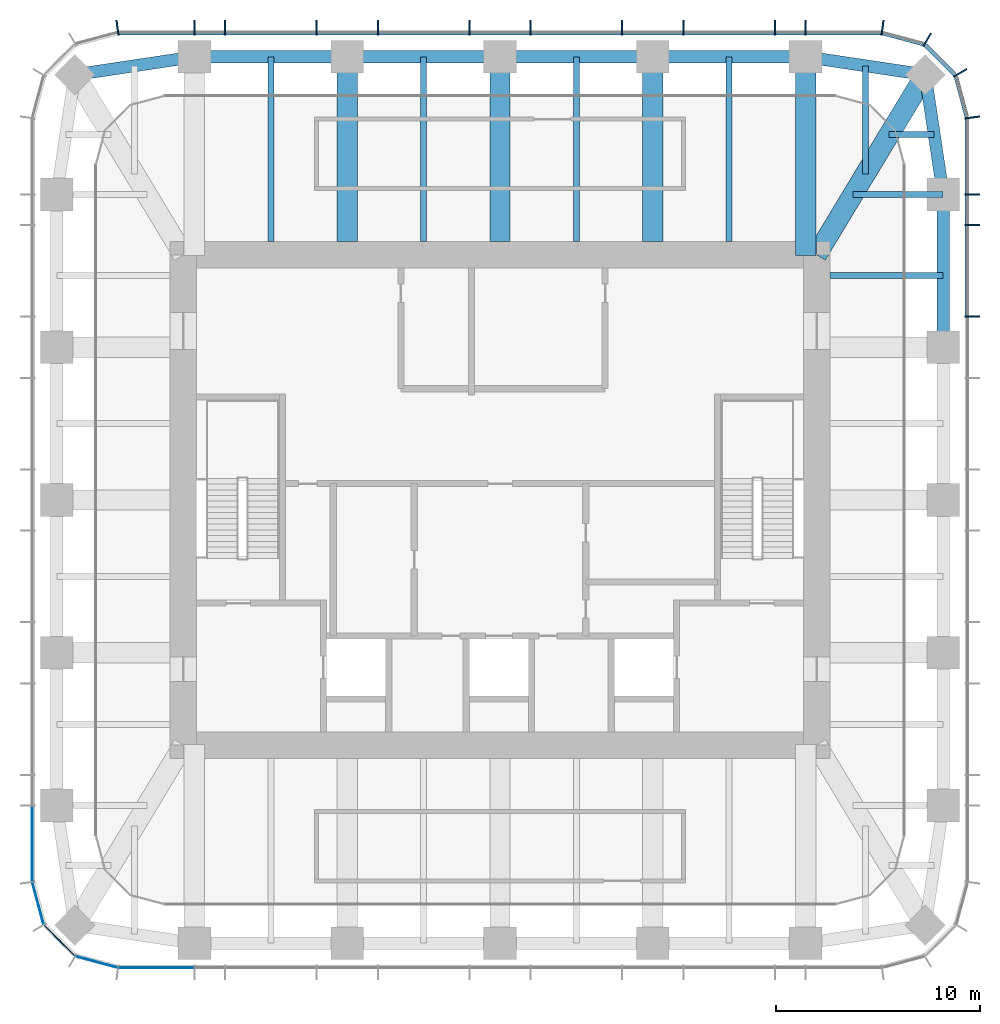
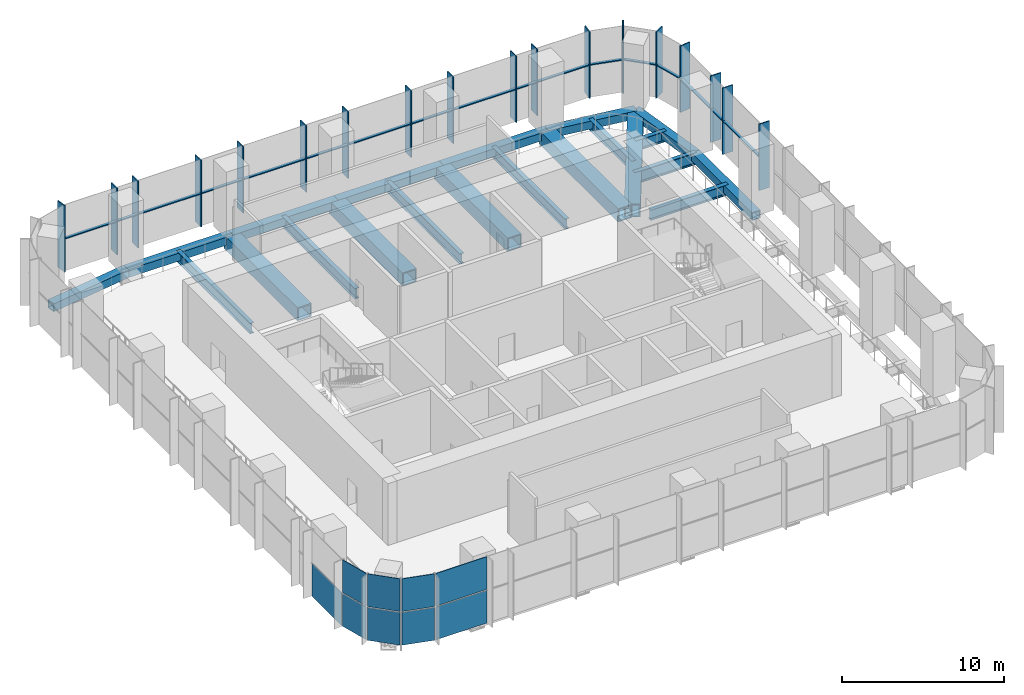
# One storey, part 3 of 10: 48 members, 9 plates, 8 beams, 7 elements without a shape of their own.
"""IFC4 building model written with IfcOpenShell, lengths in metres."""

from ifc_helpers import new_model, si_unit, direction, frame, origin, origin_2d, place, context, subcontext, project, spatial, rectangle, hollow_rectangle, i_section, extrude, material, layer, layer_set, material_profile, profile_set, type_object, element, aggregate, save


model = new_model("IFC4")

# Units and contexts
model_context = context("Model", 3, precision=1e-05, world=origin(), true_north=direction((0.0, 1.0)))
body_context = subcontext(model_context, "Body", "Model", "MODEL_VIEW")
ifc_project = project(units=[si_unit("LENGTHUNIT", "METRE"), si_unit("AREAUNIT", "SQUARE_METRE"), si_unit("VOLUMEUNIT", "CUBIC_METRE"), si_unit("PLANEANGLEUNIT", "RADIAN"), si_unit("MASSUNIT", "GRAM", prefix="KILO")], contexts=[model_context])

# Site, building, storey
site_placement = place(None, origin())
site = spatial("IfcSite", under=ifc_project, at=site_placement, CompositionType="ELEMENT")
building_placement = place(site_placement, origin())
building = spatial("IfcBuilding", under=site, at=building_placement, Name="Khuree Lantern Residences", CompositionType="ELEMENT")
storey_placement = place(building_placement, frame((0.0, 0.0, 358.25)))
storey = spatial("IfcBuildingStorey", under=building, at=storey_placement, Name="L90", CompositionType="ELEMENT", Elevation=358.25)

# Beams
ifc_material_1 = material(Name="Steel S355", Category="steel")
ifc_material_profile_1 = material_profile(ifc_material_1, i_section(OverallWidth=0.300048828125, OverallDepth=0.7900390625, WebThickness=0.014892578125, FlangeThickness=0.028076171875, FilletRadius=0.030029296875, at=origin_2d()), Name="HE 800 A")
ifc_profile_set_1 = profile_set([ifc_material_profile_1], Name="Steel S355")
beam_type_1 = type_object("IfcBeamType", Name="B-90 SECONDARY BEAM HE 800 A", PredefinedType="BEAM", material=ifc_profile_set_1)
for number, where, z_axis, x_axis, name in (
    (1, (-11.219970703125, 21.699951171875, -0.695068359375), (0.0, -1.0, 0.0), (1.0, 0.0, 0.0), "Secondary beam N1"),
    (2, (-3.739990234375, 21.699951171875, -0.695068359375), (0.0, -1.0, 0.0), (1.0, 0.0, 0.0), "Secondary beam N2"),
    (3, (3.739990234375, 21.699951171875, -0.695068359375), (0.0, -1.0, 0.0), (1.0, 0.0, 0.0), "Secondary beam N3"),
    (4, (11.219970703125, 21.699951171875, -0.695068359375), (0.0, -1.0, 0.0), (1.0, 0.0, 0.0), "Secondary beam N4"),
):
    element("IfcBeam", number, at=place(storey_placement, frame(where, z_axis=z_axis, x_axis=x_axis)), inside=storey, type_object=beam_type_1, Name=name, PredefinedType="BEAM", context=body_context, shape_type="SweptSolid", body=[
        extrude(i_section(OverallWidth=0.300048828125, OverallDepth=0.7900390625, WebThickness=0.014892578125, FlangeThickness=0.028076171875, FilletRadius=0.030029296875, at=origin_2d()), origin(), (0.0, 0.0, 1.0), 9.050048828125),
    ])
beam_1_placement = place(storey_placement, frame((17.890625, 21.2607421875, -0.695068359375), z_axis=(0.0, -1.0, 0.0), x_axis=(1.0, 0.0, 0.0)))
element("IfcBeam", 5, at=beam_1_placement, inside=storey, type_object=beam_type_1, Name="Secondary beam N5", PredefinedType="BEAM", context=body_context, shape_type="SweptSolid", body=[
    extrude(i_section(OverallWidth=0.300048828125, OverallDepth=0.7900390625, WebThickness=0.014892578125, FlangeThickness=0.028076171875, FilletRadius=0.030029296875, at=origin_2d()), origin(), (0.0, 0.0, 1.0), 5.297607421875),
])
beam_2_placement = place(storey_placement, frame((21.2607421875, 17.890625, -0.695068359375), z_axis=(-1.0, 0.0, 0.0), x_axis=(0.0, -1.0, 0.0)))
element("IfcBeam", 6, at=beam_2_placement, inside=storey, type_object=beam_type_1, Name="Secondary beam E1", PredefinedType="BEAM", context=body_context, shape_type="SweptSolid", body=[
    extrude(i_section(OverallWidth=0.300048828125, OverallDepth=0.7900390625, WebThickness=0.014892578125, FlangeThickness=0.028076171875, FilletRadius=0.030029296875, at=origin_2d()), origin(), (0.0, 0.0, 1.0), 2.207275390625),
])
beam_3_placement = place(storey_placement, frame((21.699951171875, 11.0, -0.695068359375), z_axis=(-1.0, 0.0, 0.0), x_axis=(0.0, -1.0, 0.0)))
element("IfcBeam", 7, at=beam_3_placement, inside=storey, type_object=beam_type_1, Name="Secondary beam E2", PredefinedType="BEAM", context=body_context, shape_type="SweptSolid", body=[
    extrude(i_section(OverallWidth=0.300048828125, OverallDepth=0.7900390625, WebThickness=0.014892578125, FlangeThickness=0.028076171875, FilletRadius=0.030029296875, at=origin_2d()), origin(), (0.0, 0.0, 1.0), 5.550048828125),
])

# Members
ifc_material_profile_2 = material_profile(ifc_material_1, hollow_rectangle(XDim=0.60009765625, YDim=0.60009765625, WallThickness=0.050048828125, at=origin_2d()), Name="WELDED BOX 600X600X50")
ifc_profile_set_2 = profile_set([ifc_material_profile_2], Name="Steel S355")
member_type_1 = type_object("IfcMemberType", Name="BT-90 BELT TRUSS CHORD WELDED BOX 600X600X50", PredefinedType="CHORD", material=ifc_profile_set_2)
for number, where, z_axis, x_axis, name in (
    (8, (-14.9599609375, 21.699951171875, -0.60009765625), (1.0, 0.0, 0.0), (0.0, 1.0, 0.0), "Belt truss chord N1"),
    (9, (-7.47998046875, 21.699951171875, -0.60009765625), (1.0, 0.0, 0.0), (0.0, 1.0, 0.0), "Belt truss chord N2"),
    (10, (0.0, 21.699951171875, -0.60009765625), (1.0, 0.0, 0.0), (0.0, 1.0, 0.0), "Belt truss chord N3"),
    (11, (7.47998046875, 21.699951171875, -0.60009765625), (1.0, 0.0, 0.0), (0.0, 1.0, 0.0), "Belt truss chord N4"),
):
    element("IfcMember", number, at=place(storey_placement, frame(where, z_axis=z_axis, x_axis=x_axis)), inside=storey, type_object=member_type_1, Name=name, PredefinedType="CHORD", context=body_context, shape_type="SweptSolid", body=[
        extrude(hollow_rectangle(XDim=0.60009765625, YDim=0.60009765625, WallThickness=0.050048828125, at=origin_2d()), origin(), (0.0, 0.0, 1.0), 7.47998046875),
    ])
for number, where, z_axis, x_axis, name in (
    (12, (14.9599609375, 21.699951171875, -0.60009765625), (0.988949643299, -0.148251822985, 0.0), (0.148251822985, 0.988949643299, 0.0), "Belt truss chord N5"),
    (13, (20.8212890625, 20.8212890625, -0.60009765625), (0.148251822985, -0.988949643299, 0.0), (0.988949643299, 0.148251822985, 0.0), "Belt truss chord E1"),
):
    element("IfcMember", number, at=place(storey_placement, frame(where, z_axis=z_axis, x_axis=x_axis)), inside=storey, type_object=member_type_1, Name=name, PredefinedType="CHORD", context=body_context, shape_type="SweptSolid", body=[
        extrude(hollow_rectangle(XDim=0.60009765625, YDim=0.60009765625, WallThickness=0.050048828125, at=origin_2d()), origin(), (0.0, 0.0, 1.0), 5.9267578125),
    ])
member_1_placement = place(storey_placement, frame((21.699951171875, 14.9599609375, -0.60009765625), z_axis=(0.0, -1.0, 0.0), x_axis=(1.0, 0.0, 0.0)))
element("IfcMember", 14, at=member_1_placement, inside=storey, type_object=member_type_1, Name="Belt truss chord E2", PredefinedType="CHORD", context=body_context, shape_type="SweptSolid", body=[
    extrude(hollow_rectangle(XDim=0.60009765625, YDim=0.60009765625, WallThickness=0.050048828125, at=origin_2d()), origin(), (0.0, 0.0, 1.0), 7.47998046875),
])
member_2_placement = place(storey_placement, frame((-20.8212890625, 20.8212890625, -0.60009765625), z_axis=(0.988949643299, 0.148251822985, 0.0), x_axis=(-0.148251822985, 0.988949643299, 0.0)))
element("IfcMember", 15, at=member_2_placement, inside=storey, type_object=member_type_1, Name="Belt truss chord N6", PredefinedType="CHORD", context=body_context, shape_type="SweptSolid", body=[
    extrude(hollow_rectangle(XDim=0.60009765625, YDim=0.60009765625, WallThickness=0.050048828125, at=origin_2d()), origin(), (0.0, 0.0, 1.0), 5.9267578125),
])

# Curtain wall, members
ifc_material_2 = material(Name="Bronze anodised aluminium", Category="aluminium")
curtain_wall_type = type_object("IfcCurtainWallType", Name="CW-L LANTERN CROWN CURTAIN WALL", PredefinedType="USERDEFINED", material=ifc_material_2)
curtain_wall_1_placement = place(storey_placement, origin())
curtain_wall_1 = element("IfcCurtainWall", 16, at=curtain_wall_1_placement, inside=storey, type_object=curtain_wall_type, Name="L90 EAST FACE CURTAIN WALL", ObjectType="Lantern curtain wall", PredefinedType="USERDEFINED")
ifc_material_profile_3 = material_profile(ifc_material_2, rectangle(XDim=0.074951171875, YDim=0.75, at=origin_2d()), Name="F4 75X750")
ifc_profile_set_3 = profile_set([ifc_material_profile_3], Name="Bronze anodised aluminium")
member_type_2 = type_object("IfcMemberType", Name="F4 BRONZE FIN MULLION LANTERN 75X750", PredefinedType="MULLION", material=ifc_profile_set_3)
member_3_placement = place(storey_placement, frame((23.125, 8.97607421875, 0.0), z_axis=(0.0, 0.0, 1.0), x_axis=(0.0, 1.0, 0.0)))
member_3 = element("IfcMember", 17, at=member_3_placement, type_object=member_type_2, Name="L90 EAST FACE FIN MULLION 12", PredefinedType="MULLION", context=body_context, shape_type="SweptSolid", body=[
    extrude(rectangle(XDim=0.074951171875, YDim=0.75, at=origin_2d()), origin(), (0.0, 0.0, 1.0), 5.0),
])
member_4_placement = place(storey_placement, frame((23.125, 13.464111328125, 0.0), z_axis=(0.0, 0.0, 1.0), x_axis=(0.0, 1.0, 0.0)))
member_4 = element("IfcMember", 18, at=member_4_placement, type_object=member_type_2, Name="L90 EAST FACE FIN MULLION 13", PredefinedType="MULLION", context=body_context, shape_type="SweptSolid", body=[
    extrude(rectangle(XDim=0.074951171875, YDim=0.75, at=origin_2d()), origin(), (0.0, 0.0, 1.0), 5.0),
])
member_5_placement = place(storey_placement, frame((23.125, 14.9599609375, 0.0), z_axis=(0.0, 0.0, 1.0), x_axis=(0.0, 1.0, 0.0)))
member_5 = element("IfcMember", 19, at=member_5_placement, type_object=member_type_2, Name="L90 EAST FACE FIN MULLION 14", PredefinedType="MULLION", context=body_context, shape_type="SweptSolid", body=[
    extrude(rectangle(XDim=0.074951171875, YDim=0.75, at=origin_2d()), origin(), (0.0, 0.0, 1.0), 5.0),
])

curtain_wall_2_placement = place(storey_placement, origin())
curtain_wall_2 = element("IfcCurtainWall", 20, at=curtain_wall_2_placement, inside=storey, type_object=curtain_wall_type, Name="L90 NORTH-EAST CORNER CURTAIN WALL", ObjectType="Lantern curtain wall", PredefinedType="USERDEFINED")
member_6_placement = place(storey_placement, frame((23.12451171875, 18.7294921875, 0.0), z_axis=(0.0, 0.0, 1.0), x_axis=(-0.130526125236, 0.991444870192, 0.0)))
member_6 = element("IfcMember", 21, at=member_6_placement, type_object=member_type_2, Name="L90 NORTH-EAST CORNER FIN MULLION 15", PredefinedType="MULLION", context=body_context, shape_type="SweptSolid", body=[
    extrude(rectangle(XDim=0.074951171875, YDim=0.75, at=origin_2d()), origin(), (0.0, 0.0, 1.0), 5.0),
])
member_7_placement = place(storey_placement, frame((22.5322265625, 20.91259765625, 0.0), z_axis=(0.0, 0.0, 1.0), x_axis=(-0.49999994149, 0.866025437565, 0.0)))
member_7 = element("IfcMember", 22, at=member_7_placement, type_object=member_type_2, Name="L90 NORTH-EAST CORNER FIN MULLION 16", PredefinedType="MULLION", context=body_context, shape_type="SweptSolid", body=[
    extrude(rectangle(XDim=0.074951171875, YDim=0.75, at=origin_2d()), origin(), (0.0, 0.0, 1.0), 5.0),
])
member_8_placement = place(storey_placement, frame((20.91259765625, 22.5322265625, 0.0), z_axis=(0.0, 0.0, 1.0), x_axis=(-0.866025437565, 0.49999994149, 0.0)))
member_8 = element("IfcMember", 23, at=member_8_placement, type_object=member_type_2, Name="L90 NORTH-EAST CORNER FIN MULLION 17", PredefinedType="MULLION", context=body_context, shape_type="SweptSolid", body=[
    extrude(rectangle(XDim=0.074951171875, YDim=0.75, at=origin_2d()), origin(), (0.0, 0.0, 1.0), 5.0),
])

curtain_wall_3_placement = place(storey_placement, origin())
curtain_wall_3 = element("IfcCurtainWall", 24, at=curtain_wall_3_placement, inside=storey, type_object=curtain_wall_type, Name="L90 NORTH FACE CURTAIN WALL", ObjectType="Lantern curtain wall", PredefinedType="USERDEFINED")
member_9_placement = place(storey_placement, frame((18.7294921875, 23.12451171875, 0.0), z_axis=(0.0, 0.0, 1.0), x_axis=(-0.991444870192, 0.130526125236, 0.0)))
member_9 = element("IfcMember", 25, at=member_9_placement, type_object=member_type_2, Name="L90 NORTH FACE FIN MULLION 18", PredefinedType="MULLION", context=body_context, shape_type="SweptSolid", body=[
    extrude(rectangle(XDim=0.074951171875, YDim=0.75, at=origin_2d()), origin(), (0.0, 0.0, 1.0), 5.0),
])
member_10_placement = place(storey_placement, frame((14.9599609375, 23.125, 0.0), z_axis=(0.0, 0.0, 1.0), x_axis=(-1.0, 0.0, 0.0)))
member_10 = element("IfcMember", 26, at=member_10_placement, type_object=member_type_2, Name="L90 NORTH FACE FIN MULLION 19", PredefinedType="MULLION", context=body_context, shape_type="SweptSolid", body=[
    extrude(rectangle(XDim=0.074951171875, YDim=0.75, at=origin_2d()), origin(), (0.0, 0.0, 1.0), 5.0),
])
member_11_placement = place(storey_placement, frame((13.464111328125, 23.125, 0.0), z_axis=(0.0, 0.0, 1.0), x_axis=(-1.0, 0.0, 0.0)))
member_11 = element("IfcMember", 27, at=member_11_placement, type_object=member_type_2, Name="L90 NORTH FACE FIN MULLION 20", PredefinedType="MULLION", context=body_context, shape_type="SweptSolid", body=[
    extrude(rectangle(XDim=0.074951171875, YDim=0.75, at=origin_2d()), origin(), (0.0, 0.0, 1.0), 5.0),
])
member_12_placement = place(storey_placement, frame((8.97607421875, 23.125, 0.0), z_axis=(0.0, 0.0, 1.0), x_axis=(-1.0, 0.0, 0.0)))
member_12 = element("IfcMember", 28, at=member_12_placement, type_object=member_type_2, Name="L90 NORTH FACE FIN MULLION 21", PredefinedType="MULLION", context=body_context, shape_type="SweptSolid", body=[
    extrude(rectangle(XDim=0.074951171875, YDim=0.75, at=origin_2d()), origin(), (0.0, 0.0, 1.0), 5.0),
])
member_13_placement = place(storey_placement, frame((5.98388671875, 23.125, 0.0), z_axis=(0.0, 0.0, 1.0), x_axis=(-1.0, 0.0, 0.0)))
member_13 = element("IfcMember", 29, at=member_13_placement, type_object=member_type_2, Name="L90 NORTH FACE FIN MULLION 22", PredefinedType="MULLION", context=body_context, shape_type="SweptSolid", body=[
    extrude(rectangle(XDim=0.074951171875, YDim=0.75, at=origin_2d()), origin(), (0.0, 0.0, 1.0), 5.0),
])
member_14_placement = place(storey_placement, frame((1.49609375, 23.125, 0.0), z_axis=(0.0, 0.0, 1.0), x_axis=(-1.0, 0.0, 0.0)))
member_14 = element("IfcMember", 30, at=member_14_placement, type_object=member_type_2, Name="L90 NORTH FACE FIN MULLION 23", PredefinedType="MULLION", context=body_context, shape_type="SweptSolid", body=[
    extrude(rectangle(XDim=0.074951171875, YDim=0.75, at=origin_2d()), origin(), (0.0, 0.0, 1.0), 5.0),
])
member_15_placement = place(storey_placement, frame((-1.49609375, 23.125, 0.0), z_axis=(0.0, 0.0, 1.0), x_axis=(-1.0, 0.0, 0.0)))
member_15 = element("IfcMember", 31, at=member_15_placement, type_object=member_type_2, Name="L90 NORTH FACE FIN MULLION 24", PredefinedType="MULLION", context=body_context, shape_type="SweptSolid", body=[
    extrude(rectangle(XDim=0.074951171875, YDim=0.75, at=origin_2d()), origin(), (0.0, 0.0, 1.0), 5.0),
])
member_16_placement = place(storey_placement, frame((-5.98388671875, 23.125, 0.0), z_axis=(0.0, 0.0, 1.0), x_axis=(-1.0, 0.0, 0.0)))
member_16 = element("IfcMember", 32, at=member_16_placement, type_object=member_type_2, Name="L90 NORTH FACE FIN MULLION 25", PredefinedType="MULLION", context=body_context, shape_type="SweptSolid", body=[
    extrude(rectangle(XDim=0.074951171875, YDim=0.75, at=origin_2d()), origin(), (0.0, 0.0, 1.0), 5.0),
])
member_17_placement = place(storey_placement, frame((-8.97607421875, 23.125, 0.0), z_axis=(0.0, 0.0, 1.0), x_axis=(-1.0, 0.0, 0.0)))
member_17 = element("IfcMember", 33, at=member_17_placement, type_object=member_type_2, Name="L90 NORTH FACE FIN MULLION 26", PredefinedType="MULLION", context=body_context, shape_type="SweptSolid", body=[
    extrude(rectangle(XDim=0.074951171875, YDim=0.75, at=origin_2d()), origin(), (0.0, 0.0, 1.0), 5.0),
])
member_18_placement = place(storey_placement, frame((-13.464111328125, 23.125, 0.0), z_axis=(0.0, 0.0, 1.0), x_axis=(-1.0, 0.0, 0.0)))
member_18 = element("IfcMember", 34, at=member_18_placement, type_object=member_type_2, Name="L90 NORTH FACE FIN MULLION 27", PredefinedType="MULLION", context=body_context, shape_type="SweptSolid", body=[
    extrude(rectangle(XDim=0.074951171875, YDim=0.75, at=origin_2d()), origin(), (0.0, 0.0, 1.0), 5.0),
])
member_19_placement = place(storey_placement, frame((-14.9599609375, 23.125, 0.0), z_axis=(0.0, 0.0, 1.0), x_axis=(-1.0, 0.0, 0.0)))
member_19 = element("IfcMember", 35, at=member_19_placement, type_object=member_type_2, Name="L90 NORTH FACE FIN MULLION 28", PredefinedType="MULLION", context=body_context, shape_type="SweptSolid", body=[
    extrude(rectangle(XDim=0.074951171875, YDim=0.75, at=origin_2d()), origin(), (0.0, 0.0, 1.0), 5.0),
])

# Curtain wall, member
curtain_wall_4_placement = place(storey_placement, origin())
curtain_wall_4 = element("IfcCurtainWall", 36, at=curtain_wall_4_placement, inside=storey, type_object=curtain_wall_type, Name="L90 NORTH-WEST CORNER CURTAIN WALL", ObjectType="Lantern curtain wall", PredefinedType="USERDEFINED")
member_20_placement = place(storey_placement, frame((-18.7294921875, 23.12451171875, 0.0), z_axis=(0.0, 0.0, 1.0), x_axis=(-0.991444870192, -0.130526125236, 0.0)))
member_20 = element("IfcMember", 37, at=member_20_placement, type_object=member_type_2, Name="L90 NORTH-WEST CORNER FIN MULLION 29", PredefinedType="MULLION", context=body_context, shape_type="SweptSolid", body=[
    extrude(rectangle(XDim=0.074951171875, YDim=0.75, at=origin_2d()), origin(), (0.0, 0.0, 1.0), 5.0),
])
aggregate(curtain_wall_4, [member_20])

# Beam
ifc_material_profile_4 = material_profile(ifc_material_1, i_section(OverallWidth=0.300048828125, OverallDepth=0.89990234375, WebThickness=0.0185546875, FlangeThickness=0.034912109375, FilletRadius=0.030029296875, at=origin_2d()), Name="HE 900 B")
ifc_profile_set_4 = profile_set([ifc_material_profile_4], Name="Steel S355")
beam_type_2 = type_object("IfcBeamType", Name="G-90 GIRDER HE 900 B", PredefinedType="BEAM", material=ifc_profile_set_4)
beam_4_placement = place(storey_placement, frame((21.699951171875, 14.9599609375, -0.75), z_axis=(-1.0, 0.0, 0.0), x_axis=(0.0, -1.0, 0.0)))
element("IfcBeam", 38, at=beam_4_placement, inside=storey, type_object=beam_type_2, Name="Girder E1", PredefinedType="BEAM", context=body_context, shape_type="SweptSolid", body=[
    extrude(i_section(OverallWidth=0.300048828125, OverallDepth=0.89990234375, WebThickness=0.0185546875, FlangeThickness=0.034912109375, FilletRadius=0.030029296875, at=origin_2d()), origin(), (0.0, 0.0, 1.0), 4.414306640625),
])

# Members
ifc_material_profile_5 = material_profile(ifc_material_1, hollow_rectangle(XDim=1.0, YDim=1.0, WallThickness=0.080078125, at=origin_2d()), Name="WELDED BOX 1000X1000X80")
ifc_profile_set_5 = profile_set([ifc_material_profile_5], Name="Steel S355")
member_type_3 = type_object("IfcMemberType", Name="OT-90 OUTRIGGER TRUSS CHORD WELDED BOX 1000X1000X80", PredefinedType="CHORD", material=ifc_profile_set_5)
for number, where, z_axis, x_axis, name in (
    (39, (-7.47998046875, 21.699951171875, -0.800048828125), (0.0, -1.0, 0.0), (1.0, 0.0, 0.0), "Outrigger chord N2"),
    (40, (0.0, 21.699951171875, -0.800048828125), (0.0, -1.0, 0.0), (1.0, 0.0, 0.0), "Outrigger chord N3"),
    (41, (7.47998046875, 21.699951171875, -0.800048828125), (0.0, -1.0, 0.0), (1.0, 0.0, 0.0), "Outrigger chord N4"),
):
    element("IfcMember", number, at=place(storey_placement, frame(where, z_axis=z_axis, x_axis=x_axis)), inside=storey, type_object=member_type_3, Name=name, PredefinedType="CHORD", context=body_context, shape_type="SweptSolid", body=[
        extrude(hollow_rectangle(XDim=1.0, YDim=1.0, WallThickness=0.080078125, at=origin_2d()), origin(), (0.0, 0.0, 1.0), 9.050048828125),
    ])
member_21_placement = place(storey_placement, frame((14.9599609375, 21.699951171875, -0.800048828125), z_axis=(0.0, -1.0, 0.0), x_axis=(1.0, 0.0, 0.0)))
element("IfcMember", 42, at=member_21_placement, inside=storey, type_object=member_type_3, Name="Outrigger chord N5", PredefinedType="CHORD", context=body_context, shape_type="SweptSolid", body=[
    extrude(hollow_rectangle(XDim=1.0, YDim=1.0, WallThickness=0.080078125, at=origin_2d()), origin(), (0.0, 0.0, 1.0), 9.723876953125),
])
member_22_placement = place(storey_placement, frame((20.8212890625, 20.8212890625, -0.800048828125), z_axis=(-0.516529577604, -0.856269347495, 0.0), x_axis=(0.856269347495, -0.516529577604, 0.0)))
element("IfcMember", 43, at=member_22_placement, inside=storey, type_object=member_type_3, Name="Outrigger chord NE", PredefinedType="CHORD", context=body_context, shape_type="SweptSolid", body=[
    extrude(hollow_rectangle(XDim=1.0, YDim=1.0, WallThickness=0.080078125, at=origin_2d()), origin(), (0.0, 0.0, 1.0), 10.302001953125),
])

# Member
ifc_material_profile_6 = material_profile(ifc_material_2, rectangle(XDim=0.199951171875, YDim=0.074951171875, at=origin_2d()), Name="T4 200X75")
ifc_profile_set_6 = profile_set([ifc_material_profile_6], Name="Bronze anodised aluminium")
member_type_4 = type_object("IfcMemberType", Name="TRANSOM T4 LANTERN 200X75", PredefinedType="USERDEFINED", material=ifc_profile_set_6)
member_23_placement = place(storey_placement, frame((22.8701171875, 9.013427734375, 2.5), z_axis=(0.0, 1.0, 0.0), x_axis=(-1.0, 0.0, 0.0)))
member_23 = element("IfcMember", 44, at=member_23_placement, type_object=member_type_4, Name="L90 EAST FACE TRANSOM 12.1", ObjectType="Transom", PredefinedType="USERDEFINED", context=body_context, shape_type="SweptSolid", body=[
    extrude(rectangle(XDim=0.199951171875, YDim=0.074951171875, at=origin_2d()), origin(), (0.0, 0.0, 1.0), 4.4130859375),
])

member_24_placement = place(storey_placement, frame((22.8701171875, 13.50146484375, 2.5), z_axis=(0.0, 1.0, 0.0), x_axis=(-1.0, 0.0, 0.0)))
member_24 = element("IfcMember", 45, at=member_24_placement, type_object=member_type_4, Name="L90 EAST FACE TRANSOM 13.1", ObjectType="Transom", PredefinedType="USERDEFINED", context=body_context, shape_type="SweptSolid", body=[
    extrude(rectangle(XDim=0.199951171875, YDim=0.074951171875, at=origin_2d()), origin(), (0.0, 0.0, 1.0), 1.421142578125),
])

member_25_placement = place(storey_placement, frame((22.8701171875, 14.99755859375, 2.5), z_axis=(0.0, 1.0, 0.0), x_axis=(-1.0, 0.0, 0.0)))
member_25 = element("IfcMember", 46, at=member_25_placement, type_object=member_type_4, Name="L90 EAST FACE TRANSOM 14.1", ObjectType="Transom", PredefinedType="USERDEFINED", context=body_context, shape_type="SweptSolid", body=[
    extrude(rectangle(XDim=0.199951171875, YDim=0.074951171875, at=origin_2d()), origin(), (0.0, 0.0, 1.0), 3.6474609375),
])

aggregate(curtain_wall_1, [member_3, member_4, member_5, member_23, member_24, member_25])

member_26_placement = place(storey_placement, frame((22.856689453125, 18.745361328125, 2.5), z_axis=(-0.258761937717, 0.965941126358, 0.0), x_axis=(-0.965941126358, -0.258761937717, 0.0)))
member_26 = element("IfcMember", 47, at=member_26_placement, type_object=member_type_4, Name="L90 NORTH-EAST CORNER TRANSOM 15.1", ObjectType="Transom", PredefinedType="USERDEFINED", context=body_context, shape_type="SweptSolid", body=[
    extrude(rectangle(XDim=0.199951171875, YDim=0.074951171875, at=origin_2d()), origin(), (0.0, 0.0, 1.0), 2.04541015625),
])

member_27_placement = place(storey_placement, frame((22.263916015625, 20.830810546875, 2.5), z_axis=(-0.707106781187, 0.707106781187, 0.0), x_axis=(-0.707106781187, -0.707106781187, 0.0)))
member_27 = element("IfcMember", 48, at=member_27_placement, type_object=member_type_4, Name="L90 NORTH-EAST CORNER TRANSOM 16.1", ObjectType="Transom", PredefinedType="USERDEFINED", context=body_context, shape_type="SweptSolid", body=[
    extrude(rectangle(XDim=0.199951171875, YDim=0.074951171875, at=origin_2d()), origin(), (0.0, 0.0, 1.0), 2.026611328125),
])

member_28_placement = place(storey_placement, frame((20.72119140625, 22.327392578125, 2.5), z_axis=(-0.965941126358, 0.258761937717, 0.0), x_axis=(-0.258761937717, -0.965941126358, 0.0)))
member_28 = element("IfcMember", 49, at=member_28_placement, type_object=member_type_4, Name="L90 NORTH-EAST CORNER TRANSOM 17.1", ObjectType="Transom", PredefinedType="USERDEFINED", context=body_context, shape_type="SweptSolid", body=[
    extrude(rectangle(XDim=0.199951171875, YDim=0.074951171875, at=origin_2d()), origin(), (0.0, 0.0, 1.0), 2.04541015625),
])

aggregate(curtain_wall_2, [member_6, member_7, member_8, member_26, member_27, member_28])

member_29_placement = place(storey_placement, frame((18.64501953125, 22.8701171875, 2.5), z_axis=(-1.0, 0.0, 0.0), x_axis=(0.0, -1.0, 0.0)))
member_29 = element("IfcMember", 50, at=member_29_placement, type_object=member_type_4, Name="L90 NORTH FACE TRANSOM 18.1", ObjectType="Transom", PredefinedType="USERDEFINED", context=body_context, shape_type="SweptSolid", body=[
    extrude(rectangle(XDim=0.199951171875, YDim=0.074951171875, at=origin_2d()), origin(), (0.0, 0.0, 1.0), 3.6474609375),
])

member_30_placement = place(storey_placement, frame((14.922607421875, 22.8701171875, 2.5), z_axis=(-1.0, 0.0, 0.0), x_axis=(0.0, -1.0, 0.0)))
member_30 = element("IfcMember", 51, at=member_30_placement, type_object=member_type_4, Name="L90 NORTH FACE TRANSOM 19.1", ObjectType="Transom", PredefinedType="USERDEFINED", context=body_context, shape_type="SweptSolid", body=[
    extrude(rectangle(XDim=0.199951171875, YDim=0.074951171875, at=origin_2d()), origin(), (0.0, 0.0, 1.0), 1.421142578125),
])

member_31_placement = place(storey_placement, frame((13.426513671875, 22.8701171875, 2.5), z_axis=(-1.0, 0.0, 0.0), x_axis=(0.0, -1.0, 0.0)))
member_31 = element("IfcMember", 52, at=member_31_placement, type_object=member_type_4, Name="L90 NORTH FACE TRANSOM 20.1", ObjectType="Transom", PredefinedType="USERDEFINED", context=body_context, shape_type="SweptSolid", body=[
    extrude(rectangle(XDim=0.199951171875, YDim=0.074951171875, at=origin_2d()), origin(), (0.0, 0.0, 1.0), 4.4130859375),
])

member_32_placement = place(storey_placement, frame((8.9384765625, 22.8701171875, 2.5), z_axis=(-1.0, 0.0, 0.0), x_axis=(0.0, -1.0, 0.0)))
member_32 = element("IfcMember", 53, at=member_32_placement, type_object=member_type_4, Name="L90 NORTH FACE TRANSOM 21.1", ObjectType="Transom", PredefinedType="USERDEFINED", context=body_context, shape_type="SweptSolid", body=[
    extrude(rectangle(XDim=0.199951171875, YDim=0.074951171875, at=origin_2d()), origin(), (0.0, 0.0, 1.0), 2.9169921875),
])

member_33_placement = place(storey_placement, frame((5.946533203125, 22.8701171875, 2.5), z_axis=(-1.0, 0.0, 0.0), x_axis=(0.0, -1.0, 0.0)))
member_33 = element("IfcMember", 54, at=member_33_placement, type_object=member_type_4, Name="L90 NORTH FACE TRANSOM 22.1", ObjectType="Transom", PredefinedType="USERDEFINED", context=body_context, shape_type="SweptSolid", body=[
    extrude(rectangle(XDim=0.199951171875, YDim=0.074951171875, at=origin_2d()), origin(), (0.0, 0.0, 1.0), 4.4130859375),
])

member_34_placement = place(storey_placement, frame((1.45849609375, 22.8701171875, 2.5), z_axis=(-1.0, 0.0, 0.0), x_axis=(0.0, -1.0, 0.0)))
member_34 = element("IfcMember", 55, at=member_34_placement, type_object=member_type_4, Name="L90 NORTH FACE TRANSOM 23.1", ObjectType="Transom", PredefinedType="USERDEFINED", context=body_context, shape_type="SweptSolid", body=[
    extrude(rectangle(XDim=0.199951171875, YDim=0.074951171875, at=origin_2d()), origin(), (0.0, 0.0, 1.0), 2.9169921875),
])

member_35_placement = place(storey_placement, frame((-1.533447265625, 22.8701171875, 2.5), z_axis=(-1.0, 0.0, 0.0), x_axis=(0.0, -1.0, 0.0)))
member_35 = element("IfcMember", 56, at=member_35_placement, type_object=member_type_4, Name="L90 NORTH FACE TRANSOM 24.1", ObjectType="Transom", PredefinedType="USERDEFINED", context=body_context, shape_type="SweptSolid", body=[
    extrude(rectangle(XDim=0.199951171875, YDim=0.074951171875, at=origin_2d()), origin(), (0.0, 0.0, 1.0), 4.4130859375),
])

member_36_placement = place(storey_placement, frame((-6.021484375, 22.8701171875, 2.5), z_axis=(-1.0, 0.0, 0.0), x_axis=(0.0, -1.0, 0.0)))
member_36 = element("IfcMember", 57, at=member_36_placement, type_object=member_type_4, Name="L90 NORTH FACE TRANSOM 25.1", ObjectType="Transom", PredefinedType="USERDEFINED", context=body_context, shape_type="SweptSolid", body=[
    extrude(rectangle(XDim=0.199951171875, YDim=0.074951171875, at=origin_2d()), origin(), (0.0, 0.0, 1.0), 2.9169921875),
])

member_37_placement = place(storey_placement, frame((-9.013427734375, 22.8701171875, 2.5), z_axis=(-1.0, 0.0, 0.0), x_axis=(0.0, -1.0, 0.0)))
member_37 = element("IfcMember", 58, at=member_37_placement, type_object=member_type_4, Name="L90 NORTH FACE TRANSOM 26.1", ObjectType="Transom", PredefinedType="USERDEFINED", context=body_context, shape_type="SweptSolid", body=[
    extrude(rectangle(XDim=0.199951171875, YDim=0.074951171875, at=origin_2d()), origin(), (0.0, 0.0, 1.0), 4.4130859375),
])

member_38_placement = place(storey_placement, frame((-13.50146484375, 22.8701171875, 2.5), z_axis=(-1.0, 0.0, 0.0), x_axis=(0.0, -1.0, 0.0)))
member_38 = element("IfcMember", 59, at=member_38_placement, type_object=member_type_4, Name="L90 NORTH FACE TRANSOM 27.1", ObjectType="Transom", PredefinedType="USERDEFINED", context=body_context, shape_type="SweptSolid", body=[
    extrude(rectangle(XDim=0.199951171875, YDim=0.074951171875, at=origin_2d()), origin(), (0.0, 0.0, 1.0), 1.421142578125),
])

member_39_placement = place(storey_placement, frame((-14.99755859375, 22.8701171875, 2.5), z_axis=(-1.0, 0.0, 0.0), x_axis=(0.0, -1.0, 0.0)))
member_39 = element("IfcMember", 60, at=member_39_placement, type_object=member_type_4, Name="L90 NORTH FACE TRANSOM 28.1", ObjectType="Transom", PredefinedType="USERDEFINED", context=body_context, shape_type="SweptSolid", body=[
    extrude(rectangle(XDim=0.199951171875, YDim=0.074951171875, at=origin_2d()), origin(), (0.0, 0.0, 1.0), 3.6474609375),
])

aggregate(curtain_wall_3, [member_9, member_10, member_11, member_12, member_13, member_14, member_15, member_16, member_17, member_18, member_19, member_29, member_30, member_31, member_32, member_33, member_34, member_35, member_36, member_37, member_38, member_39])

# Curtain wall, plate
curtain_wall_5_placement = place(storey_placement, origin())
curtain_wall_5 = element("IfcCurtainWall", 61, at=curtain_wall_5_placement, inside=storey, type_object=curtain_wall_type, Name="L90 WEST FACE CURTAIN WALL", ObjectType="Lantern curtain wall", PredefinedType="USERDEFINED")
ifc_material_3 = material(Name="Bronze fritted laminated glass over an insulated spandrel back pan", Category="glass")
ifc_layer = layer(ifc_material_3, 0.0400390625)
ifc_layer_set = layer_set([ifc_layer], Name="LANTERN SHADOW BOX PANEL P8")
plate_type = type_object("IfcPlateType", Name="LANTERN SHADOW BOX PANEL P8", PredefinedType="CURTAIN_PANEL", material=ifc_layer_set)
plate_1_placement = place(storey_placement, frame((-22.89990234375, -16.82861328125, 0.0), z_axis=(0.0, 0.0, 1.0), x_axis=(0.0, -1.0, 0.0)))
plate_1 = element("IfcPlate", 62, at=plate_1_placement, type_object=plate_type, Name="L90 WEST FACE PANEL 42.1", PredefinedType="CURTAIN_PANEL", context=body_context, shape_type="SweptSolid", body=[
    extrude(rectangle(XDim=3.662109375, YDim=0.0400390625, at=origin_2d()), origin(), (0.0, 0.0, 1.0), 2.46240234375),
])
aggregate(curtain_wall_5, [plate_1])

# Curtain wall, plates
curtain_wall_6_placement = place(storey_placement, origin())
curtain_wall_6 = element("IfcCurtainWall", 63, at=curtain_wall_6_placement, inside=storey, type_object=curtain_wall_type, Name="L90 SOUTH-WEST CORNER CURTAIN WALL", ObjectType="Lantern curtain wall", PredefinedType="USERDEFINED")
plate_2_placement = place(storey_placement, frame((-22.619140625, -19.748291015625, 0.0), z_axis=(0.0, 0.0, 1.0), x_axis=(0.2588189146, -0.965925861257, 0.0)))
plate_2 = element("IfcPlate", 64, at=plate_2_placement, type_object=plate_type, Name="L90 SOUTH-WEST CORNER PANEL 43.1", PredefinedType="CURTAIN_PANEL", context=body_context, shape_type="SweptSolid", body=[
    extrude(rectangle(XDim=2.08935546875, YDim=0.0400390625, at=origin_2d()), origin(), (0.0, 0.0, 1.0), 2.46240234375),
])
plate_3_placement = place(storey_placement, frame((-22.619140625, -19.748291015625, 2.53759765625), z_axis=(0.0, 0.0, 1.0), x_axis=(0.2588189146, -0.965925861257, 0.0)))
plate_3 = element("IfcPlate", 65, at=plate_3_placement, type_object=plate_type, Name="L90 SOUTH-WEST CORNER PANEL 43.2", PredefinedType="CURTAIN_PANEL", context=body_context, shape_type="SweptSolid", body=[
    extrude(rectangle(XDim=2.08935546875, YDim=0.0400390625, at=origin_2d()), origin(), (0.0, 0.0, 1.0), 2.46240234375),
])
plate_4_placement = place(storey_placement, frame((-21.568603515625, -21.568603515625, 0.0), z_axis=(0.0, 0.0, 1.0), x_axis=(0.707106781187, -0.707106781187, 0.0)))
plate_4 = element("IfcPlate", 66, at=plate_4_placement, type_object=plate_type, Name="L90 SOUTH-WEST CORNER PANEL 44.1", PredefinedType="CURTAIN_PANEL", context=body_context, shape_type="SweptSolid", body=[
    extrude(rectangle(XDim=2.085693359375, YDim=0.0400390625, at=origin_2d()), origin(), (0.0, 0.0, 1.0), 2.46240234375),
])
plate_5_placement = place(storey_placement, frame((-21.568603515625, -21.568603515625, 2.53759765625), z_axis=(0.0, 0.0, 1.0), x_axis=(0.707106781187, -0.707106781187, 0.0)))
plate_5 = element("IfcPlate", 67, at=plate_5_placement, type_object=plate_type, Name="L90 SOUTH-WEST CORNER PANEL 44.2", PredefinedType="CURTAIN_PANEL", context=body_context, shape_type="SweptSolid", body=[
    extrude(rectangle(XDim=2.085693359375, YDim=0.0400390625, at=origin_2d()), origin(), (0.0, 0.0, 1.0), 2.46240234375),
])
plate_6_placement = place(storey_placement, frame((-19.748291015625, -22.619140625, 0.0), z_axis=(0.0, 0.0, 1.0), x_axis=(0.965925861257, -0.2588189146, 0.0)))
plate_6 = element("IfcPlate", 68, at=plate_6_placement, type_object=plate_type, Name="L90 SOUTH-WEST CORNER PANEL 45.1", PredefinedType="CURTAIN_PANEL", context=body_context, shape_type="SweptSolid", body=[
    extrude(rectangle(XDim=2.08935546875, YDim=0.0400390625, at=origin_2d()), origin(), (0.0, 0.0, 1.0), 2.46240234375),
])
plate_7_placement = place(storey_placement, frame((-19.748291015625, -22.619140625, 2.53759765625), z_axis=(0.0, 0.0, 1.0), x_axis=(0.965925861257, -0.2588189146, 0.0)))
plate_7 = element("IfcPlate", 69, at=plate_7_placement, type_object=plate_type, Name="L90 SOUTH-WEST CORNER PANEL 45.2", PredefinedType="CURTAIN_PANEL", context=body_context, shape_type="SweptSolid", body=[
    extrude(rectangle(XDim=2.08935546875, YDim=0.0400390625, at=origin_2d()), origin(), (0.0, 0.0, 1.0), 2.46240234375),
])
aggregate(curtain_wall_6, [plate_2, plate_3, plate_4, plate_5, plate_6, plate_7])

curtain_wall_7_placement = place(storey_placement, origin())
curtain_wall_7 = element("IfcCurtainWall", 70, at=curtain_wall_7_placement, inside=storey, type_object=curtain_wall_type, Name="L90 SOUTH FACE CURTAIN WALL", ObjectType="Lantern curtain wall", PredefinedType="USERDEFINED")
plate_8_placement = place(storey_placement, frame((-16.82861328125, -22.89990234375, 0.0), z_axis=(0.0, 0.0, 1.0), x_axis=(1.0, 0.0, 0.0)))
plate_8 = element("IfcPlate", 71, at=plate_8_placement, type_object=plate_type, Name="L90 SOUTH FACE PANEL 46.1", PredefinedType="CURTAIN_PANEL", context=body_context, shape_type="SweptSolid", body=[
    extrude(rectangle(XDim=3.662109375, YDim=0.0400390625, at=origin_2d()), origin(), (0.0, 0.0, 1.0), 2.46240234375),
])
plate_9_placement = place(storey_placement, frame((-16.82861328125, -22.89990234375, 2.53759765625), z_axis=(0.0, 0.0, 1.0), x_axis=(1.0, 0.0, 0.0)))
plate_9 = element("IfcPlate", 72, at=plate_9_placement, type_object=plate_type, Name="L90 SOUTH FACE PANEL 46.2", PredefinedType="CURTAIN_PANEL", context=body_context, shape_type="SweptSolid", body=[
    extrude(rectangle(XDim=3.662109375, YDim=0.0400390625, at=origin_2d()), origin(), (0.0, 0.0, 1.0), 2.46240234375),
])
aggregate(curtain_wall_7, [plate_8, plate_9])

save(model, "model.ifc")
